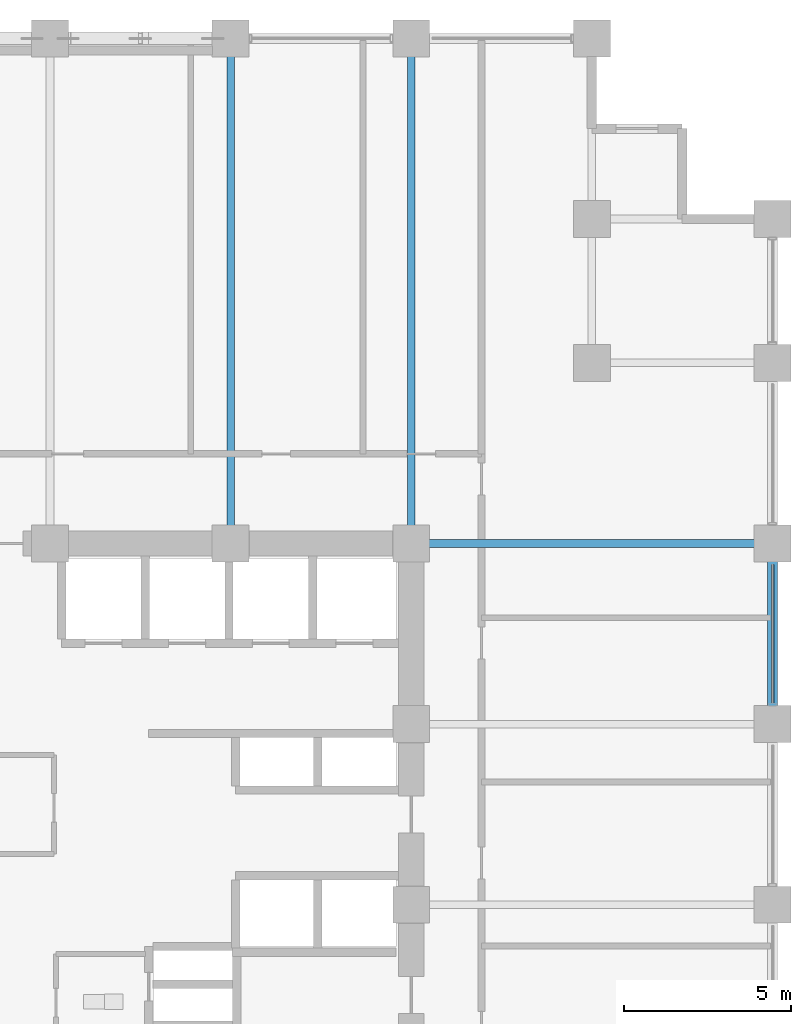
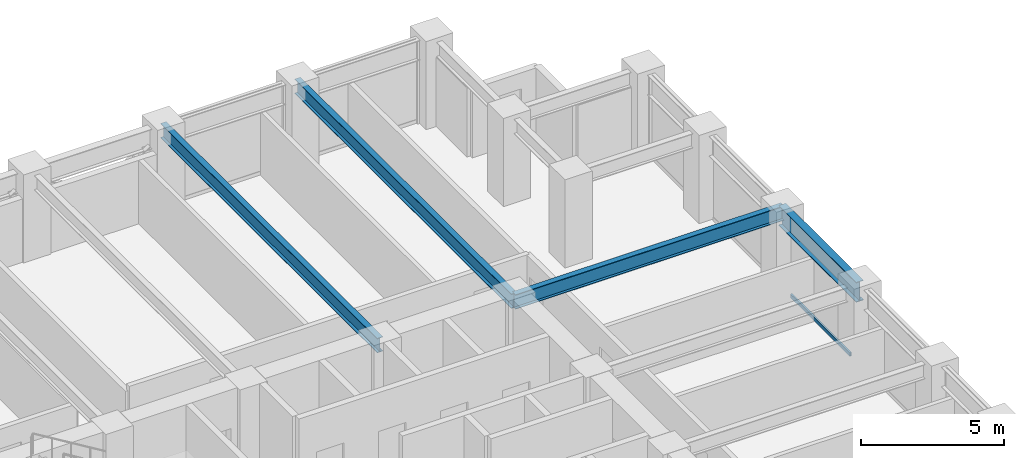
# One storey, part 14 of 25: 4 beams, 1 member, 1 element without a shape of its own.
"""IFC4 building model written with IfcOpenShell, lengths in metres."""

from ifc_helpers import new_model, si_unit, direction, frame, origin, origin_2d, place, context, subcontext, project, spatial, hollow_rectangle, i_section, extrude, material, layer, layer_set, material_profile, profile_set, type_object, element, aggregate, save


model = new_model("IFC4")

# Units and contexts
model_context = context("Model", 3, precision=1e-05, world=origin(), true_north=direction((0.0, 1.0)))
body_context = subcontext(model_context, "Body", "Model", "MODEL_VIEW")
ifc_project = project(units=[si_unit("LENGTHUNIT", "METRE"), si_unit("AREAUNIT", "SQUARE_METRE"), si_unit("VOLUMEUNIT", "CUBIC_METRE"), si_unit("PLANEANGLEUNIT", "RADIAN"), si_unit("MASSUNIT", "GRAM", prefix="KILO")], contexts=[model_context])

# Site, building, storey
site_placement = place(None, origin())
site = spatial("IfcSite", under=ifc_project, at=site_placement, CompositionType="ELEMENT")
building_placement = place(site_placement, origin())
building = spatial("IfcBuilding", under=site, at=building_placement, Name="Surkhivell Harbour Commons", CompositionType="ELEMENT")
storey_placement = place(building_placement, frame((0.0, 0.0, 109.5)))
storey = spatial("IfcBuildingStorey", under=building, at=storey_placement, Name="L28", CompositionType="ELEMENT", Elevation=109.5)

# Beams
ifc_material_1 = material(Name="Steel S355", Category="steel")
ifc_material_profile_1 = material_profile(ifc_material_1, i_section(OverallWidth=0.22998046875, OverallDepth=0.616943359375, WebThickness=0.01318359375, FlangeThickness=0.022216796875, at=origin_2d()), Name="UB610x229x140")
ifc_profile_set_1 = profile_set([ifc_material_profile_1], Name="Steel S355")
beam_type_1 = type_object("IfcBeamType", Name="BM-GRD-610B", PredefinedType="BEAM", material=ifc_profile_set_1)
for number, where, z_axis, x_axis, name in (
    (1, (5.39990234375, 10.800048828125, 3.261474609375), (0.0, 1.0, 0.0), (-1.0, 0.0, 0.0), "L28 Floor Girder (5.4,10.8)"),
    (2, (10.800048828125, 10.800048828125, 3.261474609375), (0.0, 1.0, 0.0), (-1.0, 0.0, 0.0), "L28 Floor Girder (10.8,10.8)"),
):
    element("IfcBeam", number, at=place(storey_placement, frame(where, z_axis=z_axis, x_axis=x_axis)), inside=storey, type_object=beam_type_1, Name=name, PredefinedType="BEAM", context=body_context, shape_type="SweptSolid", body=[
        extrude(i_section(OverallWidth=0.22998046875, OverallDepth=0.616943359375, WebThickness=0.01318359375, FlangeThickness=0.022216796875, at=origin_2d()), origin(), (0.0, 0.0, 1.0), 15.099853515625),
    ])
beam_1_placement = place(storey_placement, frame((10.800048828125, 10.800048828125, 3.261474609375), z_axis=(1.0, 0.0, 0.0), x_axis=(0.0, 1.0, 0.0)))
element("IfcBeam", 3, at=beam_1_placement, inside=storey, type_object=beam_type_1, Name="L28 Floor Girder (10.8,10.8)", PredefinedType="BEAM", context=body_context, shape_type="SweptSolid", body=[
    extrude(i_section(OverallWidth=0.22998046875, OverallDepth=0.616943359375, WebThickness=0.01318359375, FlangeThickness=0.022216796875, at=origin_2d()), origin(), (0.0, 0.0, 1.0), 10.800048828125),
])
ifc_material_2 = material(Name="Steel S460", Category="steel")
ifc_material_profile_2 = material_profile(ifc_material_2, i_section(OverallWidth=0.2939453125, OverallDepth=0.85107421875, WebThickness=0.01611328125, FlangeThickness=0.02685546875, at=origin_2d()), Name="UB838x292x226")
ifc_profile_set_2 = profile_set([ifc_material_profile_2], Name="Steel S460")
beam_type_2 = type_object("IfcBeamType", Name="BM-SPN-838", PredefinedType="SPANDREL", material=ifc_profile_set_2)
beam_2_placement = place(storey_placement, frame((21.60009765625, 5.39990234375, 3.14453125), z_axis=(0.0, 1.0, 0.0), x_axis=(-1.0, 0.0, 0.0)))
element("IfcBeam", 4, at=beam_2_placement, inside=storey, type_object=beam_type_2, Name="L28 Tube Spandrel (21.6,5.4)", PredefinedType="SPANDREL", context=body_context, shape_type="SweptSolid", body=[
    extrude(i_section(OverallWidth=0.2939453125, OverallDepth=0.85107421875, WebThickness=0.01611328125, FlangeThickness=0.02685546875, at=origin_2d()), origin(), (0.0, 0.0, 1.0), 5.400146484375),
])

# Curtain wall, member
ifc_material_3 = material(Name="Anodised pale-metal aluminium and insulated glazing", Category="aluminium")
ifc_layer = layer(ifc_material_3, 0.205078125)
ifc_layer_set = layer_set([ifc_layer], Name="Anodised pale-metal aluminium and insulated glazing")
curtain_wall_type = type_object("IfcCurtainWallType", Name="CW-SYS-Z2", PredefinedType="NOTDEFINED", material=ifc_layer_set)
curtain_wall_placement = place(storey_placement, origin())
curtain_wall = element("IfcCurtainWall", 5, at=curtain_wall_placement, inside=storey, type_object=curtain_wall_type, Name="L28 Curtain Wall CW-L28-E02", PredefinedType="NOTDEFINED")
ifc_material_4 = material(Name="Anodised pale-metal aluminium alloy 6063-T6", Category="aluminium")
ifc_material_profile_3 = material_profile(ifc_material_4, hollow_rectangle(XDim=0.074951171875, YDim=0.14990234375, WallThickness=0.00341796875, at=origin_2d()), Name="ALU-TRAN-75x150")
ifc_profile_set_3 = profile_set([ifc_material_profile_3], Name="Anodised pale-metal aluminium alloy 6063-T6")
member_type = type_object("IfcMemberType", Name="CWT-150", PredefinedType="USERDEFINED", material=ifc_profile_set_3)
member_placement = place(storey_placement, frame((21.60009765625, 6.027099609375, 0.074951171875), z_axis=(0.0, 1.0, 0.0), x_axis=(-1.0, 0.0, 0.0)))
member = element("IfcMember", 6, at=member_placement, type_object=member_type, Name="CW-Z2 transom 3.1", ObjectType="TRANSOM", PredefinedType="USERDEFINED", context=body_context, shape_type="SweptSolid", body=[
    extrude(hollow_rectangle(XDim=0.074951171875, YDim=0.14990234375, WallThickness=0.00341796875, at=origin_2d()), origin(), (0.0, 0.0, 1.0), 4.14599609375),
])
aggregate(curtain_wall, [member])

save(model, "model.ifc")
